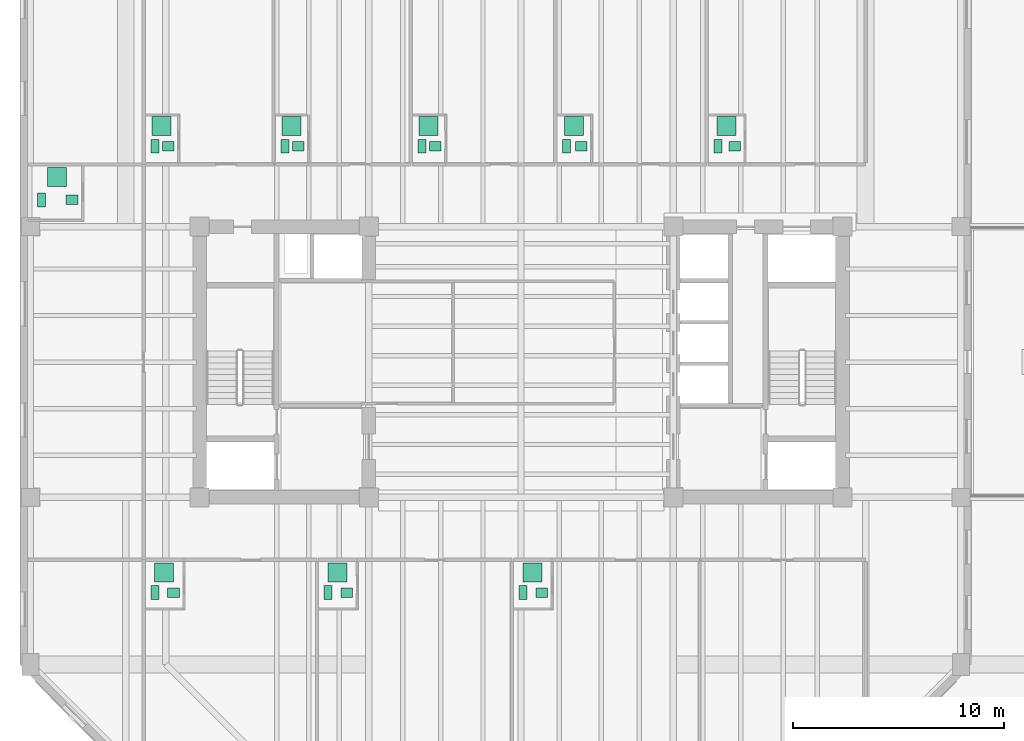
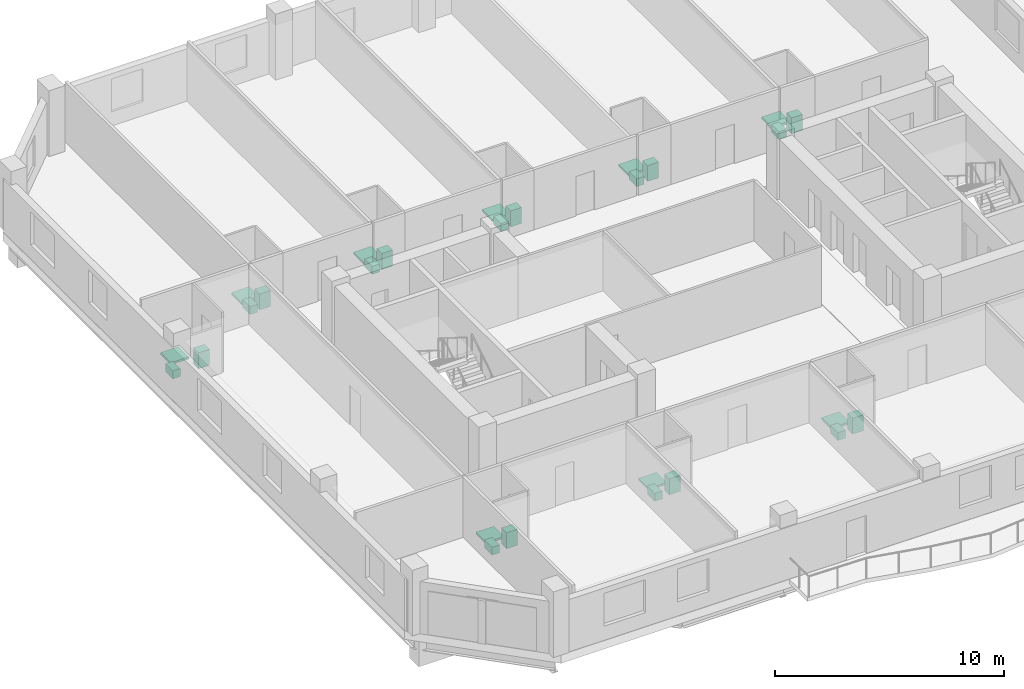
# One storey, part 11 of 11: 27 sanitary terminals.
"""IFC4 building model written with IfcOpenShell, lengths in metres."""

from ifc_helpers import new_model, si_unit, direction, frame, origin, origin_2d, place, context, subcontext, project, spatial, rectangle, extrude, material, type_object, element, save


model = new_model("IFC4")

# Units and contexts
model_context = context("Model", 3, precision=1e-05, world=origin(), true_north=direction((0.0, 1.0)))
body_context = subcontext(model_context, "Body", "Model", "MODEL_VIEW")
ifc_project = project(units=[si_unit("LENGTHUNIT", "METRE"), si_unit("AREAUNIT", "SQUARE_METRE"), si_unit("VOLUMEUNIT", "CUBIC_METRE"), si_unit("PLANEANGLEUNIT", "RADIAN"), si_unit("MASSUNIT", "GRAM", prefix="KILO")], contexts=[model_context])

# Site, building, storey
site_placement = place(None, origin())
site = spatial("IfcSite", under=ifc_project, at=site_placement, CompositionType="ELEMENT")
building_placement = place(site_placement, origin())
building = spatial("IfcBuilding", under=site, at=building_placement, Name="Kranthara Brick Stack", CompositionType="ELEMENT")
storey_placement = place(building_placement, frame((0.0, 0.0, 183.300048828125)))
storey = spatial("IfcBuildingStorey", under=building, at=storey_placement, Name="L47", CompositionType="ELEMENT", Elevation=183.300048828125)

# Sanitary terminals
ifc_material_1 = material(Name="Vitreous china sanitary porcelain", Category="other")
sanitary_terminal_type_1 = type_object("IfcSanitaryTerminalType", Name="SAN-BASIN", PredefinedType="WASHHANDBASIN", material=ifc_material_1)
for number, where, z_axis, x_axis, name in (
    (1, (11.56005859375, 16.294921875, 0.0), (0.0, 0.0, 1.0), (1.0, 0.0, 0.0), "L47 Washbasin 257"),
    (2, (19.756103515625, 16.294921875, 0.0), (0.0, 0.0, 1.0), (1.0, 0.0, 0.0), "L47 Washbasin 258"),
    (3, (28.97607421875, 16.294921875, 0.0), (0.0, 0.0, 1.0), (1.0, 0.0, 0.0), "L47 Washbasin 259"),
    (4, (11.31005859375, 37.405029296875, 0.0), (0.0, 0.0, 1.0), (1.0, 0.0, 0.0), "L47 Washbasin 260"),
    (5, (17.45703125, 37.405029296875, 0.0), (0.0, 0.0, 1.0), (1.0, 0.0, 0.0), "L47 Washbasin 261"),
    (6, (23.945068359375, 37.405029296875, 0.0), (0.0, 0.0, 1.0), (1.0, 0.0, 0.0), "L47 Washbasin 262"),
    (7, (30.845947265625, 37.405029296875, 0.0), (0.0, 0.0, 1.0), (1.0, 0.0, 0.0), "L47 Washbasin 263"),
    (8, (38.10009765625, 37.405029296875, 0.0), (0.0, 0.0, 1.0), (1.0, 0.0, 0.0), "L47 Washbasin 264"),
    (9, (6.760009765625, 34.864990234375, 0.0), (0.0, 0.0, 1.0), (1.0, 0.0, 0.0), "L47 Washbasin 265"),
):
    element("IfcSanitaryTerminal", number, at=place(storey_placement, frame(where, z_axis=z_axis, x_axis=x_axis)), inside=storey, type_object=sanitary_terminal_type_1, Name=name, PredefinedType="WASHHANDBASIN", context=body_context, shape_type="SweptSolid", body=[
        extrude(rectangle(XDim=0.550048828125, YDim=0.449951171875, at=origin_2d()), origin(), (0.0, 0.0, 1.0), 0.85009765625),
    ])
ifc_material_2 = material(Name="Acrylic and porcelain shower tray", Category="other")
sanitary_terminal_type_2 = type_object("IfcSanitaryTerminalType", Name="SAN-SHOWER", PredefinedType="SHOWER", material=ifc_material_2)
for number, where, z_axis, x_axis, name in (
    (10, (11.1201171875, 17.25, 0.0), (0.0, 0.0, 1.0), (1.0, 0.0, 0.0), "L47 Shower Tray 257"),
    (11, (19.31591796875, 17.25, 0.0), (0.0, 0.0, 1.0), (1.0, 0.0, 0.0), "L47 Shower Tray 258"),
    (12, (28.535888671875, 17.25, 0.0), (0.0, 0.0, 1.0), (1.0, 0.0, 0.0), "L47 Shower Tray 259"),
    (13, (10.9951171875, 38.360107421875, 0.0), (0.0, 0.0, 1.0), (1.0, 0.0, 0.0), "L47 Shower Tray 260"),
    (14, (17.14208984375, 38.360107421875, 0.0), (0.0, 0.0, 1.0), (1.0, 0.0, 0.0), "L47 Shower Tray 261"),
    (15, (23.6298828125, 38.360107421875, 0.0), (0.0, 0.0, 1.0), (1.0, 0.0, 0.0), "L47 Shower Tray 262"),
    (16, (30.49609375, 38.360107421875, 0.0), (0.0, 0.0, 1.0), (1.0, 0.0, 0.0), "L47 Shower Tray 263"),
    (17, (37.708984375, 38.360107421875, 0.0), (0.0, 0.0, 1.0), (1.0, 0.0, 0.0), "L47 Shower Tray 264"),
    (18, (6.0400390625, 35.949951171875, 0.0), (0.0, 0.0, 1.0), (1.0, 0.0, 0.0), "L47 Shower Tray 265"),
):
    element("IfcSanitaryTerminal", number, at=place(storey_placement, frame(where, z_axis=z_axis, x_axis=x_axis)), inside=storey, type_object=sanitary_terminal_type_2, Name=name, PredefinedType="SHOWER", context=body_context, shape_type="SweptSolid", body=[
        extrude(rectangle(XDim=0.89990234375, YDim=0.89990234375, at=origin_2d()), origin(), (0.0, 0.0, 1.0), 0.1201171875),
    ])
ifc_material_3 = material(Name="Vitreous china sanitary porcelain", Category="other")
sanitary_terminal_type_3 = type_object("IfcSanitaryTerminalType", Name="SAN-WC-PAN", PredefinedType="TOILETPAN", material=ifc_material_3)
for number, where, z_axis, x_axis, name in (
    (19, (10.679931640625, 16.294921875, 0.0), (0.0, 0.0, 1.0), (1.0, 0.0, 0.0), "L47 WC Pan 257"),
    (20, (18.8759765625, 16.294921875, 0.0), (0.0, 0.0, 1.0), (1.0, 0.0, 0.0), "L47 WC Pan 258"),
    (21, (28.095947265625, 16.294921875, 0.0), (0.0, 0.0, 1.0), (1.0, 0.0, 0.0), "L47 WC Pan 259"),
    (22, (10.679931640625, 37.405029296875, 0.0), (0.0, 0.0, 1.0), (1.0, 0.0, 0.0), "L47 WC Pan 260"),
    (23, (16.826904296875, 37.405029296875, 0.0), (0.0, 0.0, 1.0), (1.0, 0.0, 0.0), "L47 WC Pan 261"),
    (24, (23.31494140625, 37.405029296875, 0.0), (0.0, 0.0, 1.0), (1.0, 0.0, 0.0), "L47 WC Pan 262"),
    (25, (30.14501953125, 37.405029296875, 0.0), (0.0, 0.0, 1.0), (1.0, 0.0, 0.0), "L47 WC Pan 263"),
    (26, (37.31689453125, 37.405029296875, 0.0), (0.0, 0.0, 1.0), (1.0, 0.0, 0.0), "L47 WC Pan 264"),
    (27, (5.320068359375, 34.864990234375, 0.0), (0.0, 0.0, 1.0), (1.0, 0.0, 0.0), "L47 WC Pan 265"),
):
    element("IfcSanitaryTerminal", number, at=place(storey_placement, frame(where, z_axis=z_axis, x_axis=x_axis)), inside=storey, type_object=sanitary_terminal_type_3, Name=name, PredefinedType="TOILETPAN", context=body_context, shape_type="SweptSolid", body=[
        extrude(rectangle(XDim=0.3798828125, YDim=0.64990234375, at=origin_2d()), origin(), (0.0, 0.0, 1.0), 0.419921875),
    ])

save(model, "model.ifc")
